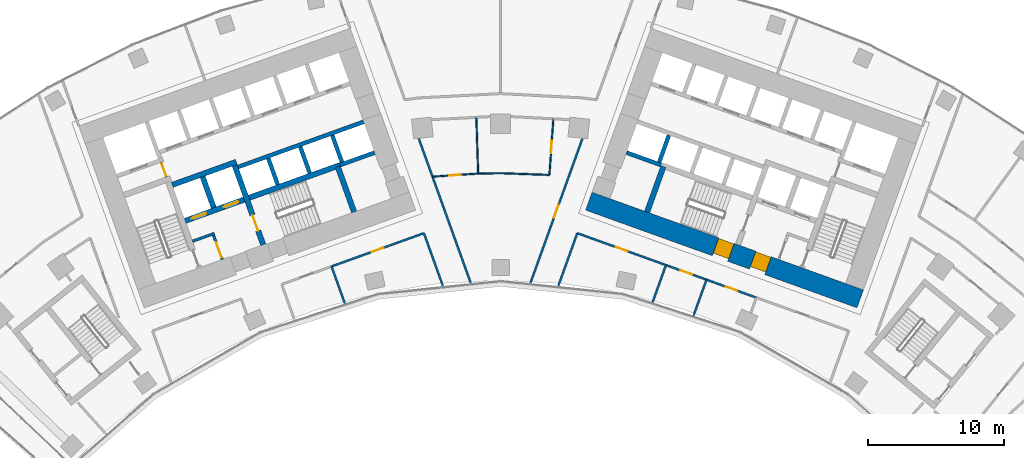
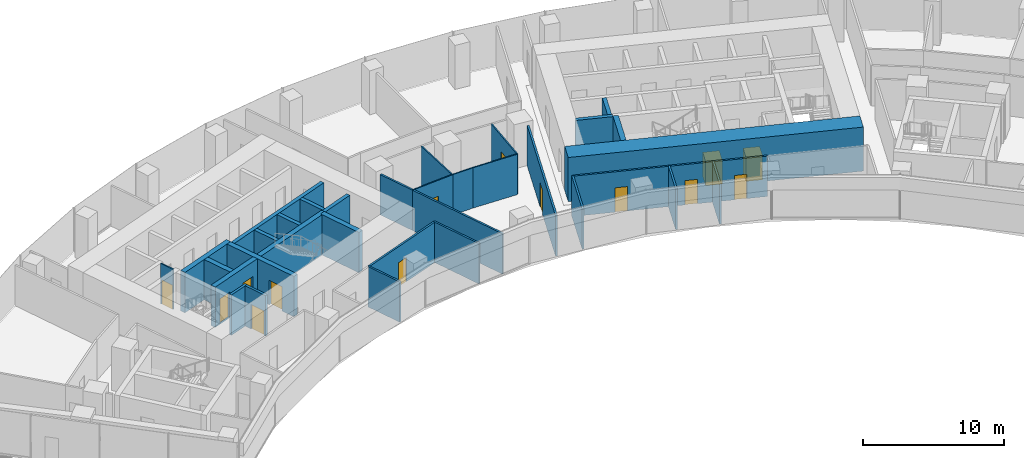
# One storey, part 14 of 20: 34 walls, 14 doors, 14 openings.
"""IFC4 building model written with IfcOpenShell, lengths in metres."""

from ifc_helpers import new_model, si_unit, direction, frame, frame_2d, origin, place, context, subcontext, project, spatial, rectangle, extrude, material, layer, layer_set, type_object, element, fill, save


model = new_model("IFC4")

# Units and contexts
model_context = context("Model", 3, precision=1e-05, world=origin(), true_north=direction((0.0, 1.0)))
body_context = subcontext(model_context, "Body", "Model", "MODEL_VIEW")
ifc_project = project(units=[si_unit("LENGTHUNIT", "METRE"), si_unit("AREAUNIT", "SQUARE_METRE"), si_unit("VOLUMEUNIT", "CUBIC_METRE"), si_unit("PLANEANGLEUNIT", "RADIAN"), si_unit("MASSUNIT", "GRAM", prefix="KILO")], contexts=[model_context])

# Site, building, storey
site_placement = place(None, origin())
site = spatial("IfcSite", under=ifc_project, at=site_placement, CompositionType="ELEMENT")
building_placement = place(site_placement, origin())
building = spatial("IfcBuilding", under=site, at=building_placement, Name="Stone Belt Terrace Tower", CompositionType="ELEMENT")
storey_placement = place(building_placement, frame((0.0, 0.0, 125.0)))
storey = spatial("IfcBuildingStorey", under=building, at=storey_placement, Name="L30", CompositionType="ELEMENT", Elevation=125.0)

# Wall, opening, door
ifc_material_1 = material(Name="Plasterboard partition")
ifc_layer_1 = layer(ifc_material_1, 0.10009765625)
ifc_layer_set_1 = layer_set([ifc_layer_1], Name="Core partition 100")
wall_type_1 = type_object("IfcWallType", Name="Core partition 100", PredefinedType="PARTITIONING", material=ifc_layer_set_1)
wall_1_placement = place(storey_placement, frame((-24.555908203125, 51.10400390625, 0.0), z_axis=(0.0, 0.0, 1.0), x_axis=(-0.338621735342, 0.94092258999, 0.0)))
wall_1 = element("IfcWall", 1, at=wall_1_placement, inside=storey, type_object=wall_type_1, Name="Core A wall", PredefinedType="PARTITIONING", context=body_context, shape_type="SweptSolid", body=[
    extrude(rectangle(XDim=1.14990234375, YDim=0.10009765625, at=frame_2d((0.574951171875, 0.0))), origin(), (0.0, 0.0, 1.0), 3.47998046875),
])
opening_1_placement = place(wall_1_placement, frame((0.050048828125, 0.0, 0.0)))
opening_1 = element("IfcOpeningElement", 2, at=opening_1_placement, cuts=wall_1, Name="Opening L30-C01", PredefinedType="OPENING", context=body_context, shape_type="SweptSolid", body=[
    extrude(rectangle(XDim=1.0, YDim=2.10009765625, at=frame_2d((0.5, 1.050048828125))), frame((0.0, 0.06005859375, 0.0), z_axis=(0.0, -1.0, 0.0), x_axis=(1.0, 0.0, 0.0)), (0.0, 0.0, 1.0), 0.1201171875),
])
ifc_material_2 = material(Name="Timber door leaf", Category="wood")
door_type_1 = type_object("IfcDoorType", Name="Core room door 1000", OperationType="SINGLE_SWING_LEFT", PredefinedType="DOOR", material=ifc_material_2)
door_1_placement = place(opening_1_placement, origin())
door_1 = element("IfcDoor", 3, at=door_1_placement, inside=storey, type_object=door_type_1, Name="Service lift lobby door core A", OperationType="SINGLE_SWING_RIGHT", OverallHeight=2.10009765625, OverallWidth=1.0, PredefinedType="DOOR", context=body_context, shape_type="SweptSolid", body=[
    extrude(rectangle(XDim=1.0, YDim=2.10009765625, at=frame_2d((0.5, 1.050048828125))), frame((0.0, 0.02490234375, 0.0), z_axis=(0.0, -1.0, 0.0), x_axis=(1.0, 0.0, 0.0)), (0.0, 0.0, 1.0), 0.050048828125),
])
fill(opening_1, door_1)

# Wall, openings, doors
ifc_material_3 = material(Name="Concrete B80", Category="concrete")
ifc_layer_2 = layer(ifc_material_3, 1.39990234375)
ifc_layer_set_2 = layer_set([ifc_layer_2], Name="Core wall 1400 B80")
wall_type_2 = type_object("IfcWallType", Name="Core wall 1400 B80", PredefinedType="SHEAR", material=ifc_layer_set_2)
wall_2_placement = place(storey_placement, frame((6.4833984375, 49.318115234375, 0.0), z_axis=(0.0, 0.0, 1.0), x_axis=(0.940923374003, -0.33861955681, 0.0)))
wall_2 = element("IfcWall", 4, at=wall_2_placement, inside=storey, type_object=wall_type_2, Name="Core B wall concave L30", PredefinedType="SHEAR", context=body_context, shape_type="SweptSolid", body=[
    extrude(rectangle(XDim=21.199951171875, YDim=1.39990234375, at=frame_2d((10.60009765625, 0.0))), origin(), (0.0, 0.0, 1.0), 3.800048828125),
])
opening_2_placement = place(wall_2_placement, frame((12.800048828125, 0.0, 0.0)))
opening_2 = element("IfcOpeningElement", 5, at=opening_2_placement, cuts=wall_2, Name="Opening L30-C13", PredefinedType="OPENING", context=body_context, shape_type="SweptSolid", body=[
    extrude(rectangle(XDim=1.199951171875, YDim=2.10009765625, at=frame_2d((0.60009765625, 1.050048828125))), frame((0.0, 0.7099609375, 0.0), z_axis=(0.0, -1.0, 0.0), x_axis=(1.0, 0.0, 0.0)), (0.0, 0.0, 1.0), 1.419921875),
])
opening_3_placement = place(wall_2_placement, frame((9.89990234375, 0.0, 0.0)))
opening_3 = element("IfcOpeningElement", 6, at=opening_3_placement, cuts=wall_2, Name="Opening L30-C15", PredefinedType="OPENING", context=body_context, shape_type="SweptSolid", body=[
    extrude(rectangle(XDim=1.199951171875, YDim=2.10009765625, at=frame_2d((0.60009765625, 1.050048828125))), frame((0.0, 0.7099609375, 0.0), z_axis=(0.0, -1.0, 0.0), x_axis=(1.0, 0.0, 0.0)), (0.0, 0.0, 1.0), 1.419921875),
])
ifc_material_4 = material(Name="Steel door leaf", Category="steel")
door_type_2 = type_object("IfcDoorType", Name="Fire-fighting lobby door 1200", OperationType="SINGLE_SWING_LEFT", PredefinedType="DOOR", material=ifc_material_4)
door_2_placement = place(opening_2_placement, origin())
door_2 = element("IfcDoor", 7, at=door_2_placement, inside=storey, type_object=door_type_2, Name="Fire-fighting lobby door core B", OperationType="SINGLE_SWING_LEFT", OverallHeight=2.10009765625, OverallWidth=1.199951171875, PredefinedType="DOOR", context=body_context, shape_type="SweptSolid", body=[
    extrude(rectangle(XDim=1.199951171875, YDim=2.10009765625, at=frame_2d((0.60009765625, 1.050048828125))), frame((0.0, 0.655029296875, 0.0), z_axis=(0.0, -1.0, 0.0), x_axis=(1.0, 0.0, 0.0)), (0.0, 0.0, 1.0), 1.14990234375),
])
fill(opening_2, door_2)
door_type_3 = type_object("IfcDoorType", Name="Stair door 1200", OperationType="SINGLE_SWING_LEFT", PredefinedType="DOOR", material=ifc_material_4)
door_3_placement = place(opening_3_placement, origin())
door_3 = element("IfcDoor", 8, at=door_3_placement, inside=storey, type_object=door_type_3, Name="Stair 2 exit door core B", OperationType="SINGLE_SWING_RIGHT", OverallHeight=2.10009765625, OverallWidth=1.199951171875, PredefinedType="DOOR", context=body_context, shape_type="SweptSolid", body=[
    extrude(rectangle(XDim=1.199951171875, YDim=2.10009765625, at=frame_2d((0.60009765625, 1.050048828125))), frame((0.0, 0.655029296875, 0.0), z_axis=(0.0, -1.0, 0.0), x_axis=(1.0, 0.0, 0.0)), (0.0, 0.0, 1.0), 1.14990234375),
])
fill(opening_3, door_3)

# Walls
ifc_layer_3 = layer(ifc_material_3, 0.39990234375)
ifc_layer_set_3 = layer_set([ifc_layer_3], Name="Fire-fighting lift shaft wall 400")
wall_type_3 = type_object("IfcWallType", Name="Fire-fighting lift shaft wall 400", PredefinedType="SHEAR", material=ifc_layer_set_3)
wall_3_placement = place(storey_placement, frame((-24.130615234375, 50.512939453125, 0.0), z_axis=(0.0, 0.0, 1.0), x_axis=(0.94091168377, 0.338652038744, 0.0)))
element("IfcWall", 9, at=wall_3_placement, inside=storey, type_object=wall_type_3, Name="Core A wall", PredefinedType="SHEAR", context=body_context, shape_type="SweptSolid", body=[
    extrude(rectangle(XDim=5.000244140625, YDim=0.39990234375, at=frame_2d((2.5, 0.0))), origin(), (0.0, 0.0, 1.0), 3.47998046875),
])
wall_4_placement = place(storey_placement, frame((-21.0859375, 48.845458984375, 0.0), z_axis=(0.0, 0.0, 1.0), x_axis=(-0.338629416206, 0.940919825745, 0.0)))
element("IfcWall", 10, at=wall_4_placement, inside=storey, type_object=wall_type_3, Name="Core A wall", PredefinedType="SHEAR", context=body_context, shape_type="SweptSolid", body=[
    extrude(rectangle(XDim=2.400146484375, YDim=0.39990234375, at=frame_2d((1.2001953125, 0.0))), origin(), (0.0, 0.0, 1.0), 3.47998046875),
])
ifc_layer_4 = layer(ifc_material_3, 0.300048828125)
ifc_layer_set_4 = layer_set([ifc_layer_4], Name="Lift shaft wall 300")
wall_type_4 = type_object("IfcWallType", Name="Lift shaft wall 300", PredefinedType="SHEAR", material=ifc_layer_set_4)
wall_5_placement = place(storey_placement, frame((-19.29052734375, 51.829833984375, 0.0), z_axis=(0.0, 0.0, 1.0), x_axis=(0.940925833398, 0.338612722803, 0.0)))
element("IfcWall", 11, at=wall_5_placement, inside=storey, type_object=wall_type_4, Name="Core A wall", PredefinedType="SHEAR", context=body_context, shape_type="SweptSolid", body=[
    extrude(rectangle(XDim=9.7998046875, YDim=0.300048828125, at=frame_2d((4.89990234375, 0.0))), origin(), (0.0, 0.0, 1.0), 3.47998046875),
])
for number, where, z_axis, x_axis, name in (
    (12, (-16.38134765625, 50.53857421875, 0.0), (0.0, 0.0, 1.0), (-0.338681515556, 0.940901073982, 0.0), "Core A wall"),
    (13, (-14.029052734375, 51.38525390625, 0.0), (0.0, 0.0, 1.0), (-0.338681515556, 0.940901073982, 0.0), "Core A wall"),
):
    element("IfcWall", number, at=place(storey_placement, frame(where, z_axis=z_axis, x_axis=x_axis)), inside=storey, type_object=wall_type_4, Name=name, PredefinedType="SHEAR", context=body_context, shape_type="SweptSolid", body=[
        extrude(rectangle(XDim=2.050048828125, YDim=0.300048828125, at=frame_2d((1.02490234375, 0.0))), origin(), (0.0, 0.0, 1.0), 3.47998046875),
    ])
wall_6_placement = place(storey_placement, frame((-11.797119140625, 51.975830078125, 0.0), z_axis=(0.0, 0.0, 1.0), x_axis=(0.940910465161, 0.33865542451, 0.0)))
element("IfcWall", 14, at=wall_6_placement, inside=storey, type_object=wall_type_4, Name="Core A wall", PredefinedType="SHEAR", context=body_context, shape_type="SweptSolid", body=[
    extrude(rectangle(XDim=2.69970703125, YDim=0.300048828125, at=frame_2d((1.349853515625, 0.0))), origin(), (0.0, 0.0, 1.0), 3.47998046875),
])
wall_7_placement = place(storey_placement, frame((-11.659912109375, 52.184814453125, 0.0), z_axis=(0.0, 0.0, 1.0), x_axis=(-0.338670064856, 0.940905195634, 0.0)))
element("IfcWall", 15, at=wall_7_placement, inside=storey, type_object=wall_type_4, Name="Core A wall", PredefinedType="SHEAR", context=body_context, shape_type="SweptSolid", body=[
    extrude(rectangle(XDim=2.099853515625, YDim=0.300048828125, at=frame_2d((1.0498046875, 0.0))), origin(), (0.0, 0.0, 1.0), 3.47998046875),
])
wall_8_placement = place(storey_placement, frame((11.797119140625, 51.975830078125, 0.0), z_axis=(0.0, 0.0, 1.0), x_axis=(-0.940910465161, 0.33865542451, 0.0)))
element("IfcWall", 16, at=wall_8_placement, inside=storey, type_object=wall_type_4, Name="Core B wall", PredefinedType="SHEAR", context=body_context, shape_type="SweptSolid", body=[
    extrude(rectangle(XDim=2.69970703125, YDim=0.300048828125, at=frame_2d((1.349853515625, 0.0))), origin(), (0.0, 0.0, 1.0), 3.47998046875),
])
wall_9_placement = place(storey_placement, frame((11.659912109375, 52.184814453125, 0.0), z_axis=(0.0, 0.0, 1.0), x_axis=(0.338670064856, 0.940905195634, 0.0)))
element("IfcWall", 17, at=wall_9_placement, inside=storey, type_object=wall_type_4, Name="Core B wall", PredefinedType="SHEAR", context=body_context, shape_type="SweptSolid", body=[
    extrude(rectangle(XDim=2.099853515625, YDim=0.300048828125, at=frame_2d((1.0498046875, 0.0))), origin(), (0.0, 0.0, 1.0), 3.47998046875),
])

# Wall, opening, door
ifc_material_5 = material(Name="Gypsum board partition")
ifc_layer_5 = layer(ifc_material_5, 0.10009765625)
ifc_layer_set_5 = layer_set([ifc_layer_5], Name="PARTITION 100")
wall_type_5 = type_object("IfcWallType", Name="PARTITION 100", PredefinedType="PARTITIONING", material=ifc_layer_set_5)
wall_10_placement = place(storey_placement, frame((-5.007080078125, 51.118896484375, 0.0), z_axis=(0.0, 0.0, 1.0), x_axis=(0.99765687033, 0.068416146369, 0.0)))
wall_10 = element("IfcWall", 18, at=wall_10_placement, inside=storey, type_object=wall_type_5, Name="L30/wall/i085", PredefinedType="PARTITIONING", context=body_context, shape_type="SweptSolid", body=[
    extrude(rectangle(XDim=3.364990234375, YDim=0.10009765625, at=frame_2d((1.6826171875, 0.0))), origin(), (0.0, 0.0, 1.0), 3.47998046875),
])
opening_4_placement = place(wall_10_placement, frame((1.232421875, 0.0, 0.0)))
opening_4 = element("IfcOpeningElement", 19, at=opening_4_placement, cuts=wall_10, Name="Opening D-B5-27", PredefinedType="OPENING", context=body_context, shape_type="SweptSolid", body=[
    extrude(rectangle(XDim=0.89990234375, YDim=2.10009765625, at=frame_2d((0.449951171875, 1.050048828125))), frame((0.0, 0.06005859375, 0.0), z_axis=(0.0, -1.0, 0.0), x_axis=(1.0, 0.0, 0.0)), (0.0, 0.0, 1.0), 0.1201171875),
])
door_type_4 = type_object("IfcDoorType", Name="OFFICE DOOR 900 X 2100", OperationType="NOTDEFINED", PredefinedType="DOOR", material=ifc_material_2)
door_4_placement = place(opening_4_placement, origin())
door_4 = element("IfcDoor", 20, at=door_4_placement, inside=storey, type_object=door_type_4, Name="L30/door/i27", OperationType="SINGLE_SWING_RIGHT", OverallHeight=2.10009765625, OverallWidth=0.89990234375, PredefinedType="DOOR", context=body_context, shape_type="SweptSolid", body=[
    extrude(rectangle(XDim=0.89990234375, YDim=2.10009765625, at=frame_2d((0.449951171875, 1.050048828125))), frame((0.0, 0.02490234375, 0.0), z_axis=(0.0, -1.0, 0.0), x_axis=(1.0, 0.0, 0.0)), (0.0, 0.0, 1.0), 0.050048828125),
])
fill(opening_4, door_4)

# Walls
wall_11_placement = place(storey_placement, frame((-1.64990234375, 51.34912109375, 0.0), z_axis=(0.0, 0.0, 1.0), x_axis=(0.999877011293, 0.015683184847, 0.0)))
element("IfcWall", 21, at=wall_11_placement, inside=storey, type_object=wall_type_5, Name="L30/wall/i086", PredefinedType="PARTITIONING", context=body_context, shape_type="SweptSolid", body=[
    extrude(rectangle(XDim=1.650146484375, YDim=0.10009765625, at=frame_2d((0.8251953125, 0.0))), origin(), (0.0, 0.0, 1.0), 3.47998046875),
])
wall_12_placement = place(storey_placement, frame((0.0, 51.375, 0.0), z_axis=(0.0, 0.0, 1.0), x_axis=(0.999384575764, -0.035078051908, 0.0)))
element("IfcWall", 22, at=wall_12_placement, inside=storey, type_object=wall_type_5, Name="L30/wall/i087", PredefinedType="PARTITIONING", context=body_context, shape_type="SweptSolid", body=[
    extrude(rectangle(XDim=3.59130859375, YDim=0.10009765625, at=frame_2d((1.795654296875, 0.0))), origin(), (0.0, 0.0, 1.0), 3.47998046875),
])

# Wall, opening, door
wall_13_placement = place(storey_placement, frame((3.589111328125, 51.2490234375, 0.0), z_axis=(0.0, 0.0, 1.0), x_axis=(0.069878503545, 0.997555509605, 0.0)))
wall_13 = element("IfcWall", 23, at=wall_13_placement, inside=storey, type_object=wall_type_5, Name="L30/wall/i088", PredefinedType="PARTITIONING", context=body_context, shape_type="SweptSolid", body=[
    extrude(rectangle(XDim=4.133056640625, YDim=0.10009765625, at=frame_2d((2.06640625, 0.0))), origin(), (0.0, 0.0, 1.0), 3.47998046875),
])
opening_5_placement = place(wall_13_placement, frame((1.616455078125, 0.0, 0.0)))
opening_5 = element("IfcOpeningElement", 24, at=opening_5_placement, cuts=wall_13, Name="Opening D-B5-28", PredefinedType="OPENING", context=body_context, shape_type="SweptSolid", body=[
    extrude(rectangle(XDim=0.89990234375, YDim=2.10009765625, at=frame_2d((0.449951171875, 1.050048828125))), frame((0.0, 0.06005859375, 0.0), z_axis=(0.0, -1.0, 0.0), x_axis=(1.0, 0.0, 0.0)), (0.0, 0.0, 1.0), 0.1201171875),
])
door_5_placement = place(opening_5_placement, origin())
door_5 = element("IfcDoor", 25, at=door_5_placement, inside=storey, type_object=door_type_4, Name="L30/door/i28", OperationType="SINGLE_SWING_RIGHT", OverallHeight=2.10009765625, OverallWidth=0.89990234375, PredefinedType="DOOR", context=body_context, shape_type="SweptSolid", body=[
    extrude(rectangle(XDim=0.89990234375, YDim=2.10009765625, at=frame_2d((0.449951171875, 1.050048828125))), frame((0.0, 0.02490234375, 0.0), z_axis=(0.0, -1.0, 0.0), x_axis=(1.0, 0.0, 0.0)), (0.0, 0.0, 1.0), 0.050048828125),
])
fill(opening_5, door_5)

# Walls
wall_14_placement = place(storey_placement, frame((-1.782958984375, 55.48193359375, 0.0), z_axis=(0.0, 0.0, 1.0), x_axis=(0.032178506916, -0.999482137756, 0.0)))
element("IfcWall", 26, at=wall_14_placement, inside=storey, type_object=wall_type_5, Name="L30/wall/i089", PredefinedType="PARTITIONING", context=body_context, shape_type="SweptSolid", body=[
    extrude(rectangle(XDim=4.135009765625, YDim=0.10009765625, at=frame_2d((2.0673828125, 0.0))), origin(), (0.0, 0.0, 1.0), 3.47998046875),
])
ifc_layer_6 = layer(ifc_material_5, 0.14990234375)
ifc_layer_set_6 = layer_set([ifc_layer_6], Name="PARTITION 150 EI 60")
wall_type_6 = type_object("IfcWallType", Name="PARTITION 150 EI 60", PredefinedType="PARTITIONING", material=ifc_layer_set_6)
wall_15_placement = place(storey_placement, frame((-4.230224609375, 43.055419921875, 0.0), z_axis=(0.0, 0.0, 1.0), x_axis=(-0.33845358521, 0.940983087339, 0.0)))
element("IfcWall", 27, at=wall_15_placement, inside=storey, type_object=wall_type_6, Name="L30/wall/i006", PredefinedType="PARTITIONING", context=body_context, shape_type="SweptSolid", body=[
    extrude(rectangle(XDim=4.162109375, YDim=0.14990234375, at=frame_2d((2.0810546875, 0.0))), origin(), (0.0, 0.0, 1.0), 3.47998046875),
])
wall_16_placement = place(storey_placement, frame((-5.008056640625, 51.125, 0.0), z_axis=(0.0, 0.0, 1.0), x_axis=(0.338575502556, -0.940939227086, 0.0)))
element("IfcWall", 28, at=wall_16_placement, inside=storey, type_object=wall_type_6, Name="L30/wall/i008", PredefinedType="PARTITIONING", context=body_context, shape_type="SweptSolid", body=[
    extrude(rectangle(XDim=8.34716796875, YDim=0.14990234375, at=frame_2d((4.173583984375, 0.0))), origin(), (0.0, 0.0, 1.0), 3.47998046875),
])
wall_17_placement = place(storey_placement, frame((-6.01171875, 53.911865234375, 0.0), z_axis=(0.0, 0.0, 1.0), x_axis=(0.338789216094, -0.940862299733, 0.0)))
element("IfcWall", 29, at=wall_17_placement, inside=storey, type_object=wall_type_6, Name="L30/wall/i009", PredefinedType="PARTITIONING", context=body_context, shape_type="SweptSolid", body=[
    extrude(rectangle(XDim=2.974853515625, YDim=0.14990234375, at=frame_2d((1.4873046875, 0.0))), origin(), (0.0, 0.0, 1.0), 3.47998046875),
])

# Wall, opening, door
wall_18_placement = place(storey_placement, frame((-5.637939453125, 46.966064453125, 0.0), z_axis=(0.0, 0.0, 1.0), x_axis=(-0.940896892246, -0.338693132735, 0.0)))
wall_18 = element("IfcWall", 30, at=wall_18_placement, inside=storey, type_object=wall_type_6, Name="L30/wall/i015", PredefinedType="PARTITIONING", context=body_context, shape_type="SweptSolid", body=[
    extrude(rectangle(XDim=7.221923828125, YDim=0.14990234375, at=frame_2d((3.61083984375, 0.0))), origin(), (0.0, 0.0, 1.0), 3.47998046875),
])
opening_6_placement = place(wall_18_placement, frame((3.160888671875, 0.0, 0.0)))
opening_6 = element("IfcOpeningElement", 31, at=opening_6_placement, cuts=wall_18, Name="Opening D-B5-03", PredefinedType="OPENING", context=body_context, shape_type="SweptSolid", body=[
    extrude(rectangle(XDim=0.89990234375, YDim=2.10009765625, at=frame_2d((0.449951171875, 1.050048828125))), frame((0.0, 0.0849609375, 0.0), z_axis=(0.0, -1.0, 0.0), x_axis=(1.0, 0.0, 0.0)), (0.0, 0.0, 1.0), 0.169921875),
])
door_6_placement = place(opening_6_placement, origin())
door_6 = element("IfcDoor", 32, at=door_6_placement, inside=storey, type_object=door_type_4, Name="L30/door/i03", OperationType="SINGLE_SWING_RIGHT", OverallHeight=2.10009765625, OverallWidth=0.89990234375, PredefinedType="DOOR", context=body_context, shape_type="SweptSolid", body=[
    extrude(rectangle(XDim=0.89990234375, YDim=2.10009765625, at=frame_2d((0.449951171875, 1.050048828125))), frame((0.0, 0.02490234375, 0.0), z_axis=(0.0, -1.0, 0.0), x_axis=(1.0, 0.0, 0.0)), (0.0, 0.0, 1.0), 0.050048828125),
])
fill(opening_6, door_6)

# Walls
wall_19_placement = place(storey_placement, frame((-12.427001953125, 44.52197265625, 0.0), z_axis=(0.0, 0.0, 1.0), x_axis=(0.338541993248, -0.940951283972, 0.0)))
element("IfcWall", 33, at=wall_19_placement, inside=storey, type_object=wall_type_6, Name="L30/wall/i016", PredefinedType="PARTITIONING", context=body_context, shape_type="SweptSolid", body=[
    extrude(rectangle(XDim=2.9228515625, YDim=0.14990234375, at=frame_2d((1.46142578125, 0.0))), origin(), (0.0, 0.0, 1.0), 3.47998046875),
])
wall_20_placement = place(storey_placement, frame((5.638916015625, 46.971923828125, 0.0), z_axis=(0.0, 0.0, 1.0), x_axis=(-0.33845358521, -0.940983087339, 0.0)))
element("IfcWall", 34, at=wall_20_placement, inside=storey, type_object=wall_type_6, Name="L30/wall/i018", PredefinedType="PARTITIONING", context=body_context, shape_type="SweptSolid", body=[
    extrude(rectangle(XDim=4.162109375, YDim=0.14990234375, at=frame_2d((2.0810546875, 0.0))), origin(), (0.0, 0.0, 1.0), 3.47998046875),
])

# Wall, opening, door
wall_21_placement = place(storey_placement, frame((2.181884765625, 43.270751953125, 0.0), z_axis=(0.0, 0.0, 1.0), x_axis=(0.33866290015, 0.940907774472, 0.0)))
wall_21 = element("IfcWall", 35, at=wall_21_placement, inside=storey, type_object=wall_type_6, Name="L30/wall/i020", PredefinedType="PARTITIONING", context=body_context, shape_type="SweptSolid", body=[
    extrude(rectangle(XDim=11.309326171875, YDim=0.14990234375, at=frame_2d((5.65478515625, 0.0))), origin(), (0.0, 0.0, 1.0), 3.47998046875),
])
opening_7_placement = place(wall_21_placement, frame((5.15478515625, 0.0, 0.0)))
opening_7 = element("IfcOpeningElement", 36, at=opening_7_placement, cuts=wall_21, Name="Opening D-B5-26", PredefinedType="OPENING", context=body_context, shape_type="SweptSolid", body=[
    extrude(rectangle(XDim=1.0, YDim=2.10009765625, at=frame_2d((0.5, 1.050048828125))), frame((0.0, 0.0849609375, 0.0), z_axis=(0.0, -1.0, 0.0), x_axis=(1.0, 0.0, 0.0)), (0.0, 0.0, 1.0), 0.169921875),
])
ifc_material_6 = material(Name="Timber fire door leaf", Category="wood")
door_type_5 = type_object("IfcDoorType", Name="TENANCY ENTRANCE DOOR 1000 X 2100", OperationType="NOTDEFINED", PredefinedType="DOOR", material=ifc_material_6)
door_7_placement = place(opening_7_placement, origin())
door_7 = element("IfcDoor", 37, at=door_7_placement, inside=storey, type_object=door_type_5, Name="L30/door/i26", OperationType="SINGLE_SWING_LEFT", OverallHeight=2.10009765625, OverallWidth=1.0, PredefinedType="DOOR", context=body_context, shape_type="SweptSolid", body=[
    extrude(rectangle(XDim=1.0, YDim=2.10009765625, at=frame_2d((0.5, 1.050048828125))), frame((0.0, 0.02490234375, 0.0), z_axis=(0.0, -1.0, 0.0), x_axis=(1.0, 0.0, 0.0)), (0.0, 0.0, 1.0), 0.050048828125),
])
fill(opening_7, door_7)

wall_22_placement = place(storey_placement, frame((12.159912109375, 44.618896484375, 0.0), z_axis=(0.0, 0.0, 1.0), x_axis=(-0.940937683525, 0.338579792253, 0.0)))
wall_22 = element("IfcWall", 38, at=wall_22_placement, inside=storey, type_object=wall_type_6, Name="L30/wall/i028", PredefinedType="PARTITIONING", context=body_context, shape_type="SweptSolid", body=[
    extrude(rectangle(XDim=6.932373046875, YDim=0.14990234375, at=frame_2d((3.46630859375, 0.0))), origin(), (0.0, 0.0, 1.0), 3.47998046875),
])
opening_8_placement = place(wall_22_placement, frame((3.01611328125, 0.0, 0.0)))
opening_8 = element("IfcOpeningElement", 39, at=opening_8_placement, cuts=wall_22, Name="Opening D-B5-06", PredefinedType="OPENING", context=body_context, shape_type="SweptSolid", body=[
    extrude(rectangle(XDim=0.89990234375, YDim=2.10009765625, at=frame_2d((0.449951171875, 1.050048828125))), frame((0.0, 0.0849609375, 0.0), z_axis=(0.0, -1.0, 0.0), x_axis=(1.0, 0.0, 0.0)), (0.0, 0.0, 1.0), 0.169921875),
])
door_8_placement = place(opening_8_placement, origin())
door_8 = element("IfcDoor", 40, at=door_8_placement, inside=storey, type_object=door_type_4, Name="L30/door/i06", OperationType="SINGLE_SWING_RIGHT", OverallHeight=2.10009765625, OverallWidth=0.89990234375, PredefinedType="DOOR", context=body_context, shape_type="SweptSolid", body=[
    extrude(rectangle(XDim=0.89990234375, YDim=2.10009765625, at=frame_2d((0.449951171875, 1.050048828125))), frame((0.0, 0.02490234375, 0.0), z_axis=(0.0, -1.0, 0.0), x_axis=(1.0, 0.0, 0.0)), (0.0, 0.0, 1.0), 0.050048828125),
])
fill(opening_8, door_8)

wall_23_placement = place(storey_placement, frame((15.137939453125, 43.547119140625, 0.0), z_axis=(0.0, 0.0, 1.0), x_axis=(-0.941032294425, 0.338316746334, 0.0)))
wall_23 = element("IfcWall", 41, at=wall_23_placement, inside=storey, type_object=wall_type_6, Name="L30/wall/i029", PredefinedType="PARTITIONING", context=body_context, shape_type="SweptSolid", body=[
    extrude(rectangle(XDim=3.17724609375, YDim=0.14990234375, at=frame_2d((1.588623046875, 0.0))), origin(), (0.0, 0.0, 1.0), 3.47998046875),
])
opening_9_placement = place(wall_23_placement, frame((1.138671875, 0.0, 0.0)))
opening_9 = element("IfcOpeningElement", 42, at=opening_9_placement, cuts=wall_23, Name="Opening D-B5-07", PredefinedType="OPENING", context=body_context, shape_type="SweptSolid", body=[
    extrude(rectangle(XDim=0.89990234375, YDim=2.10009765625, at=frame_2d((0.449951171875, 1.050048828125))), frame((0.0, 0.0849609375, 0.0), z_axis=(0.0, -1.0, 0.0), x_axis=(1.0, 0.0, 0.0)), (0.0, 0.0, 1.0), 0.169921875),
])
door_9_placement = place(opening_9_placement, origin())
door_9 = element("IfcDoor", 43, at=door_9_placement, inside=storey, type_object=door_type_4, Name="L30/door/i07", OperationType="SINGLE_SWING_RIGHT", OverallHeight=2.10009765625, OverallWidth=0.89990234375, PredefinedType="DOOR", context=body_context, shape_type="SweptSolid", body=[
    extrude(rectangle(XDim=0.89990234375, YDim=2.10009765625, at=frame_2d((0.449951171875, 1.050048828125))), frame((0.0, 0.02490234375, 0.0), z_axis=(0.0, -1.0, 0.0), x_axis=(1.0, 0.0, 0.0)), (0.0, 0.0, 1.0), 0.050048828125),
])
fill(opening_9, door_9)

wall_24_placement = place(storey_placement, frame((18.800048828125, 42.22900390625, 0.0), z_axis=(0.0, 0.0, 1.0), x_axis=(-0.940911327011, 0.338653029961, 0.0)))
wall_24 = element("IfcWall", 44, at=wall_24_placement, inside=storey, type_object=wall_type_6, Name="L30/wall/i030", PredefinedType="PARTITIONING", context=body_context, shape_type="SweptSolid", body=[
    extrude(rectangle(XDim=3.90380859375, YDim=0.14990234375, at=frame_2d((1.951904296875, 0.0))), origin(), (0.0, 0.0, 1.0), 3.47998046875),
])
opening_10_placement = place(wall_24_placement, frame((1.501953125, 0.0, 0.0)))
opening_10 = element("IfcOpeningElement", 45, at=opening_10_placement, cuts=wall_24, Name="Opening D-B5-08", PredefinedType="OPENING", context=body_context, shape_type="SweptSolid", body=[
    extrude(rectangle(XDim=0.89990234375, YDim=2.10009765625, at=frame_2d((0.449951171875, 1.050048828125))), frame((0.0, 0.0849609375, 0.0), z_axis=(0.0, -1.0, 0.0), x_axis=(1.0, 0.0, 0.0)), (0.0, 0.0, 1.0), 0.169921875),
])
door_10_placement = place(opening_10_placement, origin())
door_10 = element("IfcDoor", 46, at=door_10_placement, inside=storey, type_object=door_type_4, Name="L30/door/i08", OperationType="SINGLE_SWING_RIGHT", OverallHeight=2.10009765625, OverallWidth=0.89990234375, PredefinedType="DOOR", context=body_context, shape_type="SweptSolid", body=[
    extrude(rectangle(XDim=0.89990234375, YDim=2.10009765625, at=frame_2d((0.449951171875, 1.050048828125))), frame((0.0, 0.02490234375, 0.0), z_axis=(0.0, -1.0, 0.0), x_axis=(1.0, 0.0, 0.0)), (0.0, 0.0, 1.0), 0.050048828125),
])
fill(opening_10, door_10)

# Walls
wall_25_placement = place(storey_placement, frame((12.154052734375, 44.6201171875, 0.0), z_axis=(0.0, 0.0, 1.0), x_axis=(-0.338598562526, -0.940930929163, 0.0)))
element("IfcWall", 47, at=wall_25_placement, inside=storey, type_object=wall_type_6, Name="L30/wall/i032", PredefinedType="PARTITIONING", context=body_context, shape_type="SweptSolid", body=[
    extrude(rectangle(XDim=2.931640625, YDim=0.14990234375, at=frame_2d((1.4658203125, 0.0))), origin(), (0.0, 0.0, 1.0), 3.47998046875),
])
wall_26_placement = place(storey_placement, frame((15.132080078125, 43.548095703125, 0.0), z_axis=(0.0, 0.0, 1.0), x_axis=(-0.338737781131, -0.940880819039, 0.0)))
element("IfcWall", 48, at=wall_26_placement, inside=storey, type_object=wall_type_6, Name="L30/wall/i033", PredefinedType="PARTITIONING", context=body_context, shape_type="SweptSolid", body=[
    extrude(rectangle(XDim=2.83251953125, YDim=0.14990234375, at=frame_2d((1.416259765625, 0.0))), origin(), (0.0, 0.0, 1.0), 3.47998046875),
])
ifc_material_7 = material(Name="Concrete masonry block", Category="masonry")
ifc_layer_7 = layer(ifc_material_7, 0.199951171875)
ifc_layer_set_7 = layer_set([ifc_layer_7], Name="Rated lobby wall 200")
wall_type_7 = type_object("IfcWallType", Name="Rated lobby wall 200", PredefinedType="PARTITIONING", material=ifc_layer_set_7)
wall_27_placement = place(storey_placement, frame((-22.640625, 46.373046875, 0.0), z_axis=(0.0, 0.0, 1.0), x_axis=(0.940966110313, 0.338500781747, 0.0)))
element("IfcWall", 49, at=wall_27_placement, inside=storey, type_object=wall_type_7, Name="Core A wall", PredefinedType="PARTITIONING", context=body_context, shape_type="SweptSolid", body=[
    extrude(rectangle(XDim=1.699951171875, YDim=0.199951171875, at=frame_2d((0.85009765625, 0.0))), origin(), (0.0, 0.0, 1.0), 3.47998046875),
])

# Wall, opening, door
wall_28_placement = place(storey_placement, frame((-20.4580078125, 45.032958984375, 0.0), z_axis=(0.0, 0.0, 1.0), x_axis=(-0.338573865316, 0.940939816208, 0.0)))
wall_28 = element("IfcWall", 50, at=wall_28_placement, inside=storey, type_object=wall_type_7, Name="Core A wall", PredefinedType="PARTITIONING", context=body_context, shape_type="SweptSolid", body=[
    extrude(rectangle(XDim=1.900146484375, YDim=0.199951171875, at=frame_2d((0.9501953125, 0.0))), origin(), (0.0, 0.0, 1.0), 3.47998046875),
])
opening_11_placement = place(wall_28_placement, frame((0.14990234375, 0.0, 0.0)))
opening_11 = element("IfcOpeningElement", 51, at=opening_11_placement, cuts=wall_28, Name="Opening L30-C04", PredefinedType="OPENING", context=body_context, shape_type="SweptSolid", body=[
    extrude(rectangle(XDim=1.199951171875, YDim=2.10009765625, at=frame_2d((0.60009765625, 1.050048828125))), frame((0.0, 0.10986328125, 0.0), z_axis=(0.0, -1.0, 0.0), x_axis=(1.0, 0.0, 0.0)), (0.0, 0.0, 1.0), 0.219970703125),
])
door_11_placement = place(opening_11_placement, origin())
door_11 = element("IfcDoor", 52, at=door_11_placement, inside=storey, type_object=door_type_3, Name="Stair airlock door core A", OperationType="SINGLE_SWING_RIGHT", OverallHeight=2.10009765625, OverallWidth=1.199951171875, PredefinedType="DOOR", context=body_context, shape_type="SweptSolid", body=[
    extrude(rectangle(XDim=1.199951171875, YDim=2.10009765625, at=frame_2d((0.60009765625, 1.050048828125))), frame((0.0, 0.02490234375, 0.0), z_axis=(0.0, -1.0, 0.0), x_axis=(1.0, 0.0, 0.0)), (0.0, 0.0, 1.0), 0.050048828125),
])
fill(opening_11, door_11)

# Wall, openings, doors
ifc_layer_8 = layer(ifc_material_3, 0.39990234375)
ifc_layer_set_8 = layer_set([ifc_layer_8], Name="Stair enclosure wall 400")
wall_type_8 = type_object("IfcWallType", Name="Stair enclosure wall 400", PredefinedType="SHEAR", material=ifc_layer_set_8)
wall_29_placement = place(storey_placement, frame((-23.182373046875, 47.87841796875, 0.0), z_axis=(0.0, 0.0, 1.0), x_axis=(0.940921101762, 0.338625870628, 0.0)))
wall_29 = element("IfcWall", 53, at=wall_29_placement, inside=storey, type_object=wall_type_8, Name="Core A wall", PredefinedType="SHEAR", context=body_context, shape_type="SweptSolid", body=[
    extrude(rectangle(XDim=12.10009765625, YDim=0.39990234375, at=frame_2d((6.050048828125, 0.0))), origin(), (0.0, 0.0, 1.0), 3.47998046875),
])
opening_12_placement = place(wall_29_placement, frame((0.52001953125, 0.0, 0.0)))
opening_12 = element("IfcOpeningElement", 54, at=opening_12_placement, cuts=wall_29, Name="Opening L30-LD07", PredefinedType="OPENING", context=body_context, shape_type="SweptSolid", body=[
    extrude(rectangle(XDim=1.10009765625, YDim=2.199951171875, at=frame_2d((0.550048828125, 1.10009765625))), frame((0.0, 0.2099609375, 0.0), z_axis=(0.0, -1.0, 0.0), x_axis=(1.0, 0.0, 0.0)), (0.0, 0.0, 1.0), 0.419921875),
])
opening_13_placement = place(wall_29_placement, frame((3.02001953125, 0.0, 0.0)))
opening_13 = element("IfcOpeningElement", 55, at=opening_13_placement, cuts=wall_29, Name="Opening L30-LD08", PredefinedType="OPENING", context=body_context, shape_type="SweptSolid", body=[
    extrude(rectangle(XDim=1.10009765625, YDim=2.199951171875, at=frame_2d((0.550048828125, 1.10009765625))), frame((0.0, 0.2099609375, 0.0), z_axis=(0.0, -1.0, 0.0), x_axis=(1.0, 0.0, 0.0)), (0.0, 0.0, 1.0), 0.419921875),
])
ifc_material_8 = material(Name="Stainless steel door leaf", Category="steel")
door_type_6 = type_object("IfcDoorType", Name="Landing door 1100", OperationType="SLIDING_TO_LEFT", PredefinedType="DOOR", material=ifc_material_8)
door_12_placement = place(opening_12_placement, origin())
door_12 = element("IfcDoor", 56, at=door_12_placement, inside=storey, type_object=door_type_6, Name="Landing door FF1 core A", OperationType="SLIDING_TO_LEFT", OverallHeight=2.199951171875, OverallWidth=1.10009765625, PredefinedType="DOOR", context=body_context, shape_type="SweptSolid", body=[
    extrude(rectangle(XDim=1.10009765625, YDim=2.199951171875, at=frame_2d((0.550048828125, 1.10009765625))), frame((0.0, 0.02490234375, 0.0), z_axis=(0.0, -1.0, 0.0), x_axis=(1.0, 0.0, 0.0)), (0.0, 0.0, 1.0), 0.050048828125),
])
fill(opening_12, door_12)
door_13_placement = place(opening_13_placement, origin())
door_13 = element("IfcDoor", 57, at=door_13_placement, inside=storey, type_object=door_type_6, Name="Landing door FF2 core A", OperationType="SLIDING_TO_LEFT", OverallHeight=2.199951171875, OverallWidth=1.10009765625, PredefinedType="DOOR", context=body_context, shape_type="SweptSolid", body=[
    extrude(rectangle(XDim=1.10009765625, YDim=2.199951171875, at=frame_2d((0.550048828125, 1.10009765625))), frame((0.0, 0.02490234375, 0.0), z_axis=(0.0, -1.0, 0.0), x_axis=(1.0, 0.0, 0.0)), (0.0, 0.0, 1.0), 0.050048828125),
])
fill(opening_13, door_13)

# Wall, opening, door
wall_30_placement = place(storey_placement, frame((-17.447021484375, 46.116455078125, 0.0), z_axis=(0.0, 0.0, 1.0), x_axis=(-0.33860791464, 0.940927563707, 0.0)))
wall_30 = element("IfcWall", 58, at=wall_30_placement, inside=storey, type_object=wall_type_8, Name="Core A wall", PredefinedType="SHEAR", context=body_context, shape_type="SweptSolid", body=[
    extrude(rectangle(XDim=6.199951171875, YDim=0.39990234375, at=frame_2d((3.10009765625, 0.0))), origin(), (0.0, 0.0, 1.0), 3.47998046875),
])
opening_14_placement = place(wall_30_placement, frame((1.10009765625, 0.0, 0.0)))
opening_14 = element("IfcOpeningElement", 59, at=opening_14_placement, cuts=wall_30, Name="Opening L30-C06", PredefinedType="OPENING", context=body_context, shape_type="SweptSolid", body=[
    extrude(rectangle(XDim=1.199951171875, YDim=2.10009765625, at=frame_2d((0.60009765625, 1.050048828125))), frame((0.0, 0.2099609375, 0.0), z_axis=(0.0, -1.0, 0.0), x_axis=(1.0, 0.0, 0.0)), (0.0, 0.0, 1.0), 0.419921875),
])
door_14_placement = place(opening_14_placement, origin())
door_14 = element("IfcDoor", 60, at=door_14_placement, inside=storey, type_object=door_type_3, Name="Stair 2 door core A", OperationType="SINGLE_SWING_RIGHT", OverallHeight=2.10009765625, OverallWidth=1.199951171875, PredefinedType="DOOR", context=body_context, shape_type="SweptSolid", body=[
    extrude(rectangle(XDim=1.199951171875, YDim=2.10009765625, at=frame_2d((0.60009765625, 1.050048828125))), frame((0.0, 0.02490234375, 0.0), z_axis=(0.0, -1.0, 0.0), x_axis=(1.0, 0.0, 0.0)), (0.0, 0.0, 1.0), 0.050048828125),
])
fill(opening_14, door_14)

# Walls
for number, where, z_axis, x_axis, name in (
    (61, (-10.766357421875, 48.520751953125, 0.0), (0.0, 0.0, 1.0), (-0.338626928157, 0.94092072117, 0.0), "Core A wall"),
    (62, (10.766357421875, 48.520751953125, 0.0), (0.0, 0.0, 1.0), (0.338626928157, 0.94092072117, 0.0), "Core B wall"),
):
    element("IfcWall", number, at=place(storey_placement, frame(where, z_axis=z_axis, x_axis=x_axis)), inside=storey, type_object=wall_type_8, Name=name, PredefinedType="SHEAR", context=body_context, shape_type="SweptSolid", body=[
        extrude(rectangle(XDim=3.550048828125, YDim=0.39990234375, at=frame_2d((1.77490234375, 0.0))), origin(), (0.0, 0.0, 1.0), 3.47998046875),
    ])

save(model, "model.ifc")
